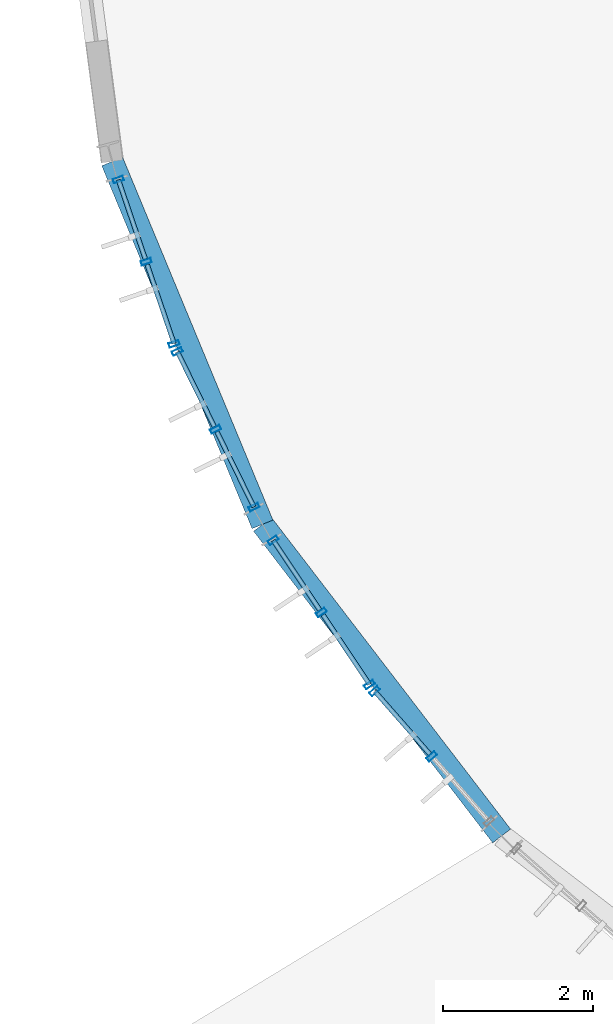
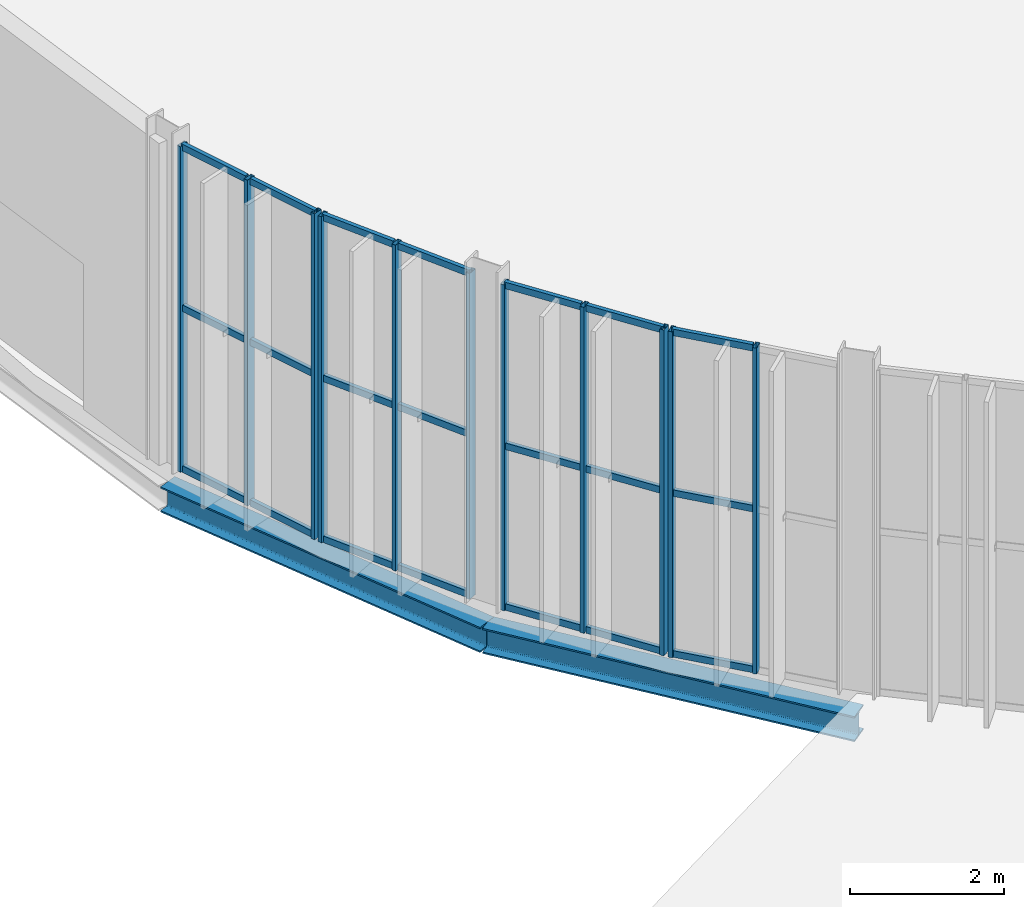
# One storey, part 35 of 158: 32 members, 2 beams, 4 elements without a shape of their own.
"""IFC4 building model written with IfcOpenShell, lengths in metres."""

from ifc_helpers import new_model, si_unit, derived_unit, direction, frame, origin, origin_2d, place, context, subcontext, project, spatial, hollow_rectangle, i_section, extrude, material, material_profile, profile_set, type_object, element, aggregate, save


model = new_model("IFC4")

# Units and contexts
model_context = context("Model", 3, precision=1e-05, world=origin(), true_north=direction((0.0, 1.0)))
body_context = subcontext(model_context, "Body", "Model", "MODEL_VIEW")
ifc_project = project(units=[si_unit("LENGTHUNIT", "METRE"), si_unit("AREAUNIT", "SQUARE_METRE"), si_unit("VOLUMEUNIT", "CUBIC_METRE"), si_unit("PLANEANGLEUNIT", "RADIAN"), si_unit("MASSUNIT", "GRAM", prefix="KILO"), si_unit("THERMODYNAMICTEMPERATUREUNIT", "KELVIN"), si_unit("TIMEUNIT", "SECOND"), derived_unit("THERMALTRANSMITTANCEUNIT", [(si_unit("MASSUNIT", "GRAM", prefix="KILO"), 1), (si_unit("THERMODYNAMICTEMPERATUREUNIT", "KELVIN"), -1), (si_unit("TIMEUNIT", "SECOND"), -3)])], contexts=[model_context])

# Site, building, storey
site_placement = place(None, origin())
site = spatial("IfcSite", under=ifc_project, at=site_placement, CompositionType="ELEMENT")
building_placement = place(site_placement, origin())
building = spatial("IfcBuilding", under=site, at=building_placement, Name="Cambertide Market Hall", CompositionType="ELEMENT")
storey_placement = place(building_placement, origin())
storey = spatial("IfcBuildingStorey", under=building, at=storey_placement, Name="L01", CompositionType="ELEMENT", Elevation=0.0)

# Curtain wall, members
ifc_material_1 = material(Name="Marine Anodized Aluminium 6063-T6 AA25", Category="aluminium")
curtain_wall_type = type_object("IfcCurtainWallType", Name="Lantern Apse Chord Lower Curtain Wall", PredefinedType="USERDEFINED", material=ifc_material_1)
curtain_wall_1_placement = place(storey_placement, origin())
curtain_wall_1 = element("IfcCurtainWall", 1, at=curtain_wall_1_placement, inside=storey, type_object=curtain_wall_type, Name="Level 1 Curtain Wall CW-V1AW-L01-15", ObjectType="UNITIZED CURTAIN WALL", PredefinedType="USERDEFINED")
ifc_material_2 = material(Name="Champagne Marine Anodized Aluminium 6063-T6 AA25", Category="aluminium")
ifc_material_profile_1 = material_profile(ifc_material_2, hollow_rectangle(XDim=0.06005859375, YDim=0.139892578125, WallThickness=0.00341796875, at=origin_2d()), Name="ALU MULLION 60x140")
ifc_profile_set_1 = profile_set([ifc_material_profile_1], Name="Champagne Marine Anodized Aluminium 6063-T6 AA25")
member_type_1 = type_object("IfcMemberType", Name="Curtain Wall Mullion ALU MULLION 60x140", PredefinedType="MULLION", material=ifc_profile_set_1)
member_1_placement = place(storey_placement, frame((23.504638671875, 64.3984375, 0.0), z_axis=(0.0, 0.0, 1.0), x_axis=(-0.32143947831, 0.94693012508, 0.0)))
member_1 = element("IfcMember", 2, at=member_1_placement, type_object=member_type_1, Name="CW-V1AW-L01-15 Mullion 1", PredefinedType="MULLION", context=body_context, shape_type="SweptSolid", body=[
    extrude(hollow_rectangle(XDim=0.06005859375, YDim=0.139892578125, WallThickness=0.00341796875, at=origin_2d()), origin(), (0.0, 0.0, 1.0), 5.159912109375),
])
member_2_placement = place(storey_placement, frame((23.134033203125, 65.490234375, 0.0), z_axis=(0.0, 0.0, 1.0), x_axis=(-0.32143947831, 0.94693012508, 0.0)))
member_2 = element("IfcMember", 3, at=member_2_placement, type_object=member_type_1, Name="CW-V1AW-L01-15 Mullion 2", PredefinedType="MULLION", context=body_context, shape_type="SweptSolid", body=[
    extrude(hollow_rectangle(XDim=0.06005859375, YDim=0.139892578125, WallThickness=0.00341796875, at=origin_2d()), origin(), (0.0, 0.0, 1.0), 5.159912109375),
])
member_3_placement = place(storey_placement, frame((22.763427734375, 66.58203125, 0.0), z_axis=(0.0, 0.0, 1.0), x_axis=(-0.32143947831, 0.94693012508, 0.0)))
member_3 = element("IfcMember", 4, at=member_3_placement, type_object=member_type_1, Name="CW-V1AW-L01-15 Mullion 3", PredefinedType="MULLION", context=body_context, shape_type="SweptSolid", body=[
    extrude(hollow_rectangle(XDim=0.06005859375, YDim=0.139892578125, WallThickness=0.00341796875, at=origin_2d()), origin(), (0.0, 0.0, 1.0), 5.159912109375),
])

curtain_wall_2_placement = place(storey_placement, origin())
curtain_wall_2 = element("IfcCurtainWall", 5, at=curtain_wall_2_placement, inside=storey, type_object=curtain_wall_type, Name="Level 1 Curtain Wall CW-V1AW-L01-16", ObjectType="UNITIZED CURTAIN WALL", PredefinedType="USERDEFINED")
member_4_placement = place(storey_placement, frame((24.566650390625, 62.228759765625, 0.0), z_axis=(0.0, 0.0, 1.0), x_axis=(-0.442288874522, 0.896872650645, 0.0)))
member_4 = element("IfcMember", 6, at=member_4_placement, type_object=member_type_1, Name="CW-V1AW-L01-16 Mullion 1", PredefinedType="MULLION", context=body_context, shape_type="SweptSolid", body=[
    extrude(hollow_rectangle(XDim=0.06005859375, YDim=0.139892578125, WallThickness=0.00341796875, at=origin_2d()), origin(), (0.0, 0.0, 1.0), 5.159912109375),
])
member_5_placement = place(storey_placement, frame((24.056640625, 63.262939453125, 0.0), z_axis=(0.0, 0.0, 1.0), x_axis=(-0.442288874522, 0.896872650645, 0.0)))
member_5 = element("IfcMember", 7, at=member_5_placement, type_object=member_type_1, Name="CW-V1AW-L01-16 Mullion 2", PredefinedType="MULLION", context=body_context, shape_type="SweptSolid", body=[
    extrude(hollow_rectangle(XDim=0.06005859375, YDim=0.139892578125, WallThickness=0.00341796875, at=origin_2d()), origin(), (0.0, 0.0, 1.0), 5.159912109375),
])
member_6_placement = place(storey_placement, frame((23.546630859375, 64.297119140625, 0.0), z_axis=(0.0, 0.0, 1.0), x_axis=(-0.442288874522, 0.896872650645, 0.0)))
member_6 = element("IfcMember", 8, at=member_6_placement, type_object=member_type_1, Name="CW-V1AW-L01-16 Mullion 3", PredefinedType="MULLION", context=body_context, shape_type="SweptSolid", body=[
    extrude(hollow_rectangle(XDim=0.06005859375, YDim=0.139892578125, WallThickness=0.00341796875, at=origin_2d()), origin(), (0.0, 0.0, 1.0), 5.159912109375),
])

curtain_wall_3_placement = place(storey_placement, origin())
curtain_wall_3 = element("IfcCurtainWall", 9, at=curtain_wall_3_placement, inside=storey, type_object=curtain_wall_type, Name="Level 1 Curtain Wall CW-V1AW-L01-17", ObjectType="UNITIZED CURTAIN WALL", PredefinedType="USERDEFINED")
member_7_placement = place(storey_placement, frame((26.102294921875, 59.87060546875, 0.0), z_axis=(0.0, 0.0, 1.0), x_axis=(-0.555570087582, 0.831469709481, 0.0)))
member_7 = element("IfcMember", 10, at=member_7_placement, type_object=member_type_1, Name="CW-V1AW-L01-17 Mullion 1", PredefinedType="MULLION", context=body_context, shape_type="SweptSolid", body=[
    extrude(hollow_rectangle(XDim=0.06005859375, YDim=0.139892578125, WallThickness=0.00341796875, at=origin_2d()), origin(), (0.0, 0.0, 1.0), 5.159912109375),
])
member_8_placement = place(storey_placement, frame((25.461669921875, 60.829345703125, 0.0), z_axis=(0.0, 0.0, 1.0), x_axis=(-0.555570087582, 0.831469709481, 0.0)))
member_8 = element("IfcMember", 11, at=member_8_placement, type_object=member_type_1, Name="CW-V1AW-L01-17 Mullion 2", PredefinedType="MULLION", context=body_context, shape_type="SweptSolid", body=[
    extrude(hollow_rectangle(XDim=0.06005859375, YDim=0.139892578125, WallThickness=0.00341796875, at=origin_2d()), origin(), (0.0, 0.0, 1.0), 5.159912109375),
])
member_9_placement = place(storey_placement, frame((24.821044921875, 61.7880859375, 0.0), z_axis=(0.0, 0.0, 1.0), x_axis=(-0.555570087582, 0.831469709481, 0.0)))
member_9 = element("IfcMember", 12, at=member_9_placement, type_object=member_type_1, Name="CW-V1AW-L01-17 Mullion 3", PredefinedType="MULLION", context=body_context, shape_type="SweptSolid", body=[
    extrude(hollow_rectangle(XDim=0.06005859375, YDim=0.139892578125, WallThickness=0.00341796875, at=origin_2d()), origin(), (0.0, 0.0, 1.0), 5.159912109375),
])

curtain_wall_4_placement = place(storey_placement, origin())
curtain_wall_4 = element("IfcCurtainWall", 13, at=curtain_wall_4_placement, inside=storey, type_object=curtain_wall_type, Name="Level 1 Curtain Wall CW-V1AW-L01-18", ObjectType="UNITIZED CURTAIN WALL", PredefinedType="USERDEFINED")
member_10_placement = place(storey_placement, frame((26.929443359375, 58.91650390625, 0.0), z_axis=(0.0, 0.0, 1.0), x_axis=(-0.659345784014, 0.751839834741, 0.0)))
member_10 = element("IfcMember", 14, at=member_10_placement, type_object=member_type_1, Name="CW-V1AW-L01-18 Mullion 2", PredefinedType="MULLION", context=body_context, shape_type="SweptSolid", body=[
    extrude(hollow_rectangle(XDim=0.06005859375, YDim=0.139892578125, WallThickness=0.00341796875, at=origin_2d()), origin(), (0.0, 0.0, 1.0), 5.159912109375),
])
member_11_placement = place(storey_placement, frame((26.169189453125, 59.783447265625, 0.0), z_axis=(0.0, 0.0, 1.0), x_axis=(-0.659345784014, 0.751839834741, 0.0)))
member_11 = element("IfcMember", 15, at=member_11_placement, type_object=member_type_1, Name="CW-V1AW-L01-18 Mullion 3", PredefinedType="MULLION", context=body_context, shape_type="SweptSolid", body=[
    extrude(hollow_rectangle(XDim=0.06005859375, YDim=0.139892578125, WallThickness=0.00341796875, at=origin_2d()), origin(), (0.0, 0.0, 1.0), 5.159912109375),
])

# Member
ifc_material_3 = material(Name="Champagne Marine Anodized Aluminium 6063-T6 AA25", Category="aluminium")
ifc_material_profile_2 = material_profile(ifc_material_3, hollow_rectangle(XDim=0.06005859375, YDim=0.10498046875, WallThickness=0.0029296875, at=origin_2d()), Name="ALU TRANSOM 60x105")
ifc_profile_set_2 = profile_set([ifc_material_profile_2], Name="Champagne Marine Anodized Aluminium 6063-T6 AA25")
member_type_2 = type_object("IfcMemberType", Name="Curtain Wall Transom ALU TRANSOM 60x105", PredefinedType="USERDEFINED", material=ifc_profile_set_2)
member_12_placement = place(storey_placement, frame((23.503173828125, 64.403076171875, 0.034912109375), z_axis=(-0.321444521782, 0.946928413037, 0.0), x_axis=(-0.946928413037, -0.321444521782, 0.0)))
member_12 = element("IfcMember", 16, at=member_12_placement, type_object=member_type_2, Name="CW-V1AW-L01-15 Transom 1-1", ObjectType="TRANSOM", PredefinedType="USERDEFINED", context=body_context, shape_type="SweptSolid", body=[
    extrude(hollow_rectangle(XDim=0.06005859375, YDim=0.10498046875, WallThickness=0.0029296875, at=origin_2d()), origin(), (0.0, 0.0, 1.0), 1.108154296875),
])

member_13_placement = place(storey_placement, frame((23.121337890625, 65.528076171875, 0.034912109375), z_axis=(-0.321444521782, 0.946928413037, 0.0), x_axis=(-0.946928413037, -0.321444521782, 0.0)))
member_13 = element("IfcMember", 17, at=member_13_placement, type_object=member_type_2, Name="CW-V1AW-L01-15 Transom 1-2", ObjectType="TRANSOM", PredefinedType="USERDEFINED", context=body_context, shape_type="SweptSolid", body=[
    extrude(hollow_rectangle(XDim=0.06005859375, YDim=0.10498046875, WallThickness=0.0029296875, at=origin_2d()), origin(), (0.0, 0.0, 1.0), 1.108154296875),
])

member_14_placement = place(storey_placement, frame((23.503173828125, 64.403076171875, 2.580078125), z_axis=(-0.321444521782, 0.946928413037, 0.0), x_axis=(-0.946928413037, -0.321444521782, 0.0)))
member_14 = element("IfcMember", 18, at=member_14_placement, type_object=member_type_2, Name="CW-V1AW-L01-15 Transom 2-1", ObjectType="TRANSOM", PredefinedType="USERDEFINED", context=body_context, shape_type="SweptSolid", body=[
    extrude(hollow_rectangle(XDim=0.06005859375, YDim=0.10498046875, WallThickness=0.0029296875, at=origin_2d()), origin(), (0.0, 0.0, 1.0), 1.108154296875),
])

member_15_placement = place(storey_placement, frame((23.121337890625, 65.528076171875, 2.580078125), z_axis=(-0.321444521782, 0.946928413037, 0.0), x_axis=(-0.946928413037, -0.321444521782, 0.0)))
member_15 = element("IfcMember", 19, at=member_15_placement, type_object=member_type_2, Name="CW-V1AW-L01-15 Transom 2-2", ObjectType="TRANSOM", PredefinedType="USERDEFINED", context=body_context, shape_type="SweptSolid", body=[
    extrude(hollow_rectangle(XDim=0.06005859375, YDim=0.10498046875, WallThickness=0.0029296875, at=origin_2d()), origin(), (0.0, 0.0, 1.0), 1.108154296875),
])

member_16_placement = place(storey_placement, frame((23.503173828125, 64.403076171875, 5.125), z_axis=(-0.321444521782, 0.946928413037, 0.0), x_axis=(-0.946928413037, -0.321444521782, 0.0)))
member_16 = element("IfcMember", 20, at=member_16_placement, type_object=member_type_2, Name="CW-V1AW-L01-15 Transom 3-1", ObjectType="TRANSOM", PredefinedType="USERDEFINED", context=body_context, shape_type="SweptSolid", body=[
    extrude(hollow_rectangle(XDim=0.06005859375, YDim=0.10498046875, WallThickness=0.0029296875, at=origin_2d()), origin(), (0.0, 0.0, 1.0), 1.108154296875),
])

member_17_placement = place(storey_placement, frame((23.121337890625, 65.528076171875, 5.125), z_axis=(-0.321444521782, 0.946928413037, 0.0), x_axis=(-0.946928413037, -0.321444521782, 0.0)))
member_17 = element("IfcMember", 21, at=member_17_placement, type_object=member_type_2, Name="CW-V1AW-L01-15 Transom 3-2", ObjectType="TRANSOM", PredefinedType="USERDEFINED", context=body_context, shape_type="SweptSolid", body=[
    extrude(hollow_rectangle(XDim=0.06005859375, YDim=0.10498046875, WallThickness=0.0029296875, at=origin_2d()), origin(), (0.0, 0.0, 1.0), 1.108154296875),
])

aggregate(curtain_wall_1, [member_1, member_2, member_3, member_12, member_13, member_14, member_15, member_16, member_17])

member_18_placement = place(storey_placement, frame((24.564453125, 62.233154296875, 0.034912109375), z_axis=(-0.442183235129, 0.896924738521, 0.0), x_axis=(-0.896924738521, -0.442183235129, 0.0)))
member_18 = element("IfcMember", 22, at=member_18_placement, type_object=member_type_2, Name="CW-V1AW-L01-16 Transom 1-1", ObjectType="TRANSOM", PredefinedType="USERDEFINED", context=body_context, shape_type="SweptSolid", body=[
    extrude(hollow_rectangle(XDim=0.06005859375, YDim=0.10498046875, WallThickness=0.0029296875, at=origin_2d()), origin(), (0.0, 0.0, 1.0), 1.108154296875),
])

member_19_placement = place(storey_placement, frame((24.0390625, 63.298828125, 0.034912109375), z_axis=(-0.44244786472, 0.896794227794, 0.0), x_axis=(-0.896794227794, -0.44244786472, 0.0)))
member_19 = element("IfcMember", 23, at=member_19_placement, type_object=member_type_2, Name="CW-V1AW-L01-16 Transom 1-2", ObjectType="TRANSOM", PredefinedType="USERDEFINED", context=body_context, shape_type="SweptSolid", body=[
    extrude(hollow_rectangle(XDim=0.06005859375, YDim=0.10498046875, WallThickness=0.0029296875, at=origin_2d()), origin(), (0.0, 0.0, 1.0), 1.10791015625),
])

member_20_placement = place(storey_placement, frame((24.564453125, 62.233154296875, 2.580078125), z_axis=(-0.442183235129, 0.896924738521, 0.0), x_axis=(-0.896924738521, -0.442183235129, 0.0)))
member_20 = element("IfcMember", 24, at=member_20_placement, type_object=member_type_2, Name="CW-V1AW-L01-16 Transom 2-1", ObjectType="TRANSOM", PredefinedType="USERDEFINED", context=body_context, shape_type="SweptSolid", body=[
    extrude(hollow_rectangle(XDim=0.06005859375, YDim=0.10498046875, WallThickness=0.0029296875, at=origin_2d()), origin(), (0.0, 0.0, 1.0), 1.108154296875),
])

member_21_placement = place(storey_placement, frame((24.0390625, 63.298828125, 2.580078125), z_axis=(-0.44244786472, 0.896794227794, 0.0), x_axis=(-0.896794227794, -0.44244786472, 0.0)))
member_21 = element("IfcMember", 25, at=member_21_placement, type_object=member_type_2, Name="CW-V1AW-L01-16 Transom 2-2", ObjectType="TRANSOM", PredefinedType="USERDEFINED", context=body_context, shape_type="SweptSolid", body=[
    extrude(hollow_rectangle(XDim=0.06005859375, YDim=0.10498046875, WallThickness=0.0029296875, at=origin_2d()), origin(), (0.0, 0.0, 1.0), 1.10791015625),
])

member_22_placement = place(storey_placement, frame((24.564453125, 62.233154296875, 5.125), z_axis=(-0.442183235129, 0.896924738521, 0.0), x_axis=(-0.896924738521, -0.442183235129, 0.0)))
member_22 = element("IfcMember", 26, at=member_22_placement, type_object=member_type_2, Name="CW-V1AW-L01-16 Transom 3-1", ObjectType="TRANSOM", PredefinedType="USERDEFINED", context=body_context, shape_type="SweptSolid", body=[
    extrude(hollow_rectangle(XDim=0.06005859375, YDim=0.10498046875, WallThickness=0.0029296875, at=origin_2d()), origin(), (0.0, 0.0, 1.0), 1.108154296875),
])

member_23_placement = place(storey_placement, frame((24.0390625, 63.298828125, 5.125), z_axis=(-0.44244786472, 0.896794227794, 0.0), x_axis=(-0.896794227794, -0.44244786472, 0.0)))
member_23 = element("IfcMember", 27, at=member_23_placement, type_object=member_type_2, Name="CW-V1AW-L01-16 Transom 3-2", ObjectType="TRANSOM", PredefinedType="USERDEFINED", context=body_context, shape_type="SweptSolid", body=[
    extrude(hollow_rectangle(XDim=0.06005859375, YDim=0.10498046875, WallThickness=0.0029296875, at=origin_2d()), origin(), (0.0, 0.0, 1.0), 1.10791015625),
])

aggregate(curtain_wall_2, [member_4, member_5, member_6, member_18, member_19, member_20, member_21, member_22, member_23])

member_24_placement = place(storey_placement, frame((26.099609375, 59.874755859375, 0.034912109375), z_axis=(-0.55571677103, 0.831371680054, 0.0), x_axis=(-0.831371680054, -0.55571677103, 0.0)))
member_24 = element("IfcMember", 28, at=member_24_placement, type_object=member_type_2, Name="CW-V1AW-L01-17 Transom 1-1", ObjectType="TRANSOM", PredefinedType="USERDEFINED", context=body_context, shape_type="SweptSolid", body=[
    extrude(hollow_rectangle(XDim=0.06005859375, YDim=0.10498046875, WallThickness=0.0029296875, at=origin_2d()), origin(), (0.0, 0.0, 1.0), 1.10791015625),
])

member_25_placement = place(storey_placement, frame((25.439453125, 60.862548828125, 0.034912109375), z_axis=(-0.555462658685, 0.83154148111, 0.0), x_axis=(-0.83154148111, -0.555462658685, 0.0)))
member_25 = element("IfcMember", 29, at=member_25_placement, type_object=member_type_2, Name="CW-V1AW-L01-17 Transom 1-2", ObjectType="TRANSOM", PredefinedType="USERDEFINED", context=body_context, shape_type="SweptSolid", body=[
    extrude(hollow_rectangle(XDim=0.06005859375, YDim=0.10498046875, WallThickness=0.0029296875, at=origin_2d()), origin(), (0.0, 0.0, 1.0), 1.108154296875),
])

member_26_placement = place(storey_placement, frame((26.099609375, 59.874755859375, 2.580078125), z_axis=(-0.55571677103, 0.831371680054, 0.0), x_axis=(-0.831371680054, -0.55571677103, 0.0)))
member_26 = element("IfcMember", 30, at=member_26_placement, type_object=member_type_2, Name="CW-V1AW-L01-17 Transom 2-1", ObjectType="TRANSOM", PredefinedType="USERDEFINED", context=body_context, shape_type="SweptSolid", body=[
    extrude(hollow_rectangle(XDim=0.06005859375, YDim=0.10498046875, WallThickness=0.0029296875, at=origin_2d()), origin(), (0.0, 0.0, 1.0), 1.10791015625),
])

member_27_placement = place(storey_placement, frame((25.439453125, 60.862548828125, 2.580078125), z_axis=(-0.555462658685, 0.83154148111, 0.0), x_axis=(-0.83154148111, -0.555462658685, 0.0)))
member_27 = element("IfcMember", 31, at=member_27_placement, type_object=member_type_2, Name="CW-V1AW-L01-17 Transom 2-2", ObjectType="TRANSOM", PredefinedType="USERDEFINED", context=body_context, shape_type="SweptSolid", body=[
    extrude(hollow_rectangle(XDim=0.06005859375, YDim=0.10498046875, WallThickness=0.0029296875, at=origin_2d()), origin(), (0.0, 0.0, 1.0), 1.108154296875),
])

member_28_placement = place(storey_placement, frame((26.099609375, 59.874755859375, 5.125), z_axis=(-0.55571677103, 0.831371680054, 0.0), x_axis=(-0.831371680054, -0.55571677103, 0.0)))
member_28 = element("IfcMember", 32, at=member_28_placement, type_object=member_type_2, Name="CW-V1AW-L01-17 Transom 3-1", ObjectType="TRANSOM", PredefinedType="USERDEFINED", context=body_context, shape_type="SweptSolid", body=[
    extrude(hollow_rectangle(XDim=0.06005859375, YDim=0.10498046875, WallThickness=0.0029296875, at=origin_2d()), origin(), (0.0, 0.0, 1.0), 1.10791015625),
])

member_29_placement = place(storey_placement, frame((25.439453125, 60.862548828125, 5.125), z_axis=(-0.555462658685, 0.83154148111, 0.0), x_axis=(-0.83154148111, -0.555462658685, 0.0)))
member_29 = element("IfcMember", 33, at=member_29_placement, type_object=member_type_2, Name="CW-V1AW-L01-17 Transom 3-2", ObjectType="TRANSOM", PredefinedType="USERDEFINED", context=body_context, shape_type="SweptSolid", body=[
    extrude(hollow_rectangle(XDim=0.06005859375, YDim=0.10498046875, WallThickness=0.0029296875, at=origin_2d()), origin(), (0.0, 0.0, 1.0), 1.108154296875),
])

aggregate(curtain_wall_3, [member_7, member_8, member_9, member_24, member_25, member_26, member_27, member_28, member_29])

member_30_placement = place(storey_placement, frame((26.903076171875, 58.946533203125, 0.034912109375), z_axis=(-0.659315460062, 0.751866427049, 0.0), x_axis=(-0.751866427049, -0.659315460062, 0.0)))
member_30 = element("IfcMember", 34, at=member_30_placement, type_object=member_type_2, Name="CW-V1AW-L01-18 Transom 1-2", ObjectType="TRANSOM", PredefinedType="USERDEFINED", context=body_context, shape_type="SweptSolid", body=[
    extrude(hollow_rectangle(XDim=0.06005859375, YDim=0.10498046875, WallThickness=0.0029296875, at=origin_2d()), origin(), (0.0, 0.0, 1.0), 1.10791015625),
])

member_31_placement = place(storey_placement, frame((26.903076171875, 58.946533203125, 2.580078125), z_axis=(-0.659315460062, 0.751866427049, 0.0), x_axis=(-0.751866427049, -0.659315460062, 0.0)))
member_31 = element("IfcMember", 35, at=member_31_placement, type_object=member_type_2, Name="CW-V1AW-L01-18 Transom 2-2", ObjectType="TRANSOM", PredefinedType="USERDEFINED", context=body_context, shape_type="SweptSolid", body=[
    extrude(hollow_rectangle(XDim=0.06005859375, YDim=0.10498046875, WallThickness=0.0029296875, at=origin_2d()), origin(), (0.0, 0.0, 1.0), 1.10791015625),
])

member_32_placement = place(storey_placement, frame((26.903076171875, 58.946533203125, 5.125), z_axis=(-0.659315460062, 0.751866427049, 0.0), x_axis=(-0.751866427049, -0.659315460062, 0.0)))
member_32 = element("IfcMember", 36, at=member_32_placement, type_object=member_type_2, Name="CW-V1AW-L01-18 Transom 3-2", ObjectType="TRANSOM", PredefinedType="USERDEFINED", context=body_context, shape_type="SweptSolid", body=[
    extrude(hollow_rectangle(XDim=0.06005859375, YDim=0.10498046875, WallThickness=0.0029296875, at=origin_2d()), origin(), (0.0, 0.0, 1.0), 1.10791015625),
])

aggregate(curtain_wall_4, [member_10, member_11, member_30, member_31, member_32])

# Beams
ifc_material_4 = material(Name="Steel S355", Category="steel")
ifc_material_profile_3 = material_profile(ifc_material_4, i_section(OverallWidth=0.300048828125, OverallDepth=0.39990234375, WebThickness=0.013427734375, FlangeThickness=0.02392578125, FilletRadius=0.027099609375, at=origin_2d()), Name="HEB 400")
ifc_profile_set_3 = profile_set([ifc_material_profile_3], Name="Steel S355")
beam_type = type_object("IfcBeamType", Name="Steel Girder HEB 400", PredefinedType="BEAM", material=ifc_profile_set_3)
beam_1_placement = place(storey_placement, frame((22.681396484375, 66.82373046875, -0.510009765625), z_axis=(0.382682172528, -0.923880054352, 0.0), x_axis=(0.923880054352, 0.382682172528, 0.0)))
element("IfcBeam", 37, at=beam_1_placement, inside=storey, type_object=beam_type, Name="Level 1 Beam BM-V1AW-L01-8", PredefinedType="BEAM", context=body_context, shape_type="SweptSolid", body=[
    extrude(i_section(OverallWidth=0.300048828125, OverallDepth=0.39990234375, WebThickness=0.013427734375, FlangeThickness=0.02392578125, FilletRadius=0.027099609375, at=origin_2d()), origin(), (0.0, 0.0, 1.0), 5.22119140625),
])
beam_2_placement = place(storey_placement, frame((24.679443359375, 62.0, -0.510009765625), z_axis=(0.608777037117, -0.793341363525, 0.0), x_axis=(0.793341363525, 0.608777037117, 0.0)))
element("IfcBeam", 38, at=beam_2_placement, inside=storey, type_object=beam_type, Name="Level 1 Beam BM-V1AW-L01-9", PredefinedType="BEAM", context=body_context, shape_type="SweptSolid", body=[
    extrude(i_section(OverallWidth=0.300048828125, OverallDepth=0.39990234375, WebThickness=0.013427734375, FlangeThickness=0.02392578125, FilletRadius=0.027099609375, at=origin_2d()), origin(), (0.0, 0.0, 1.0), 5.220947265625),
])

save(model, "model.ifc")
